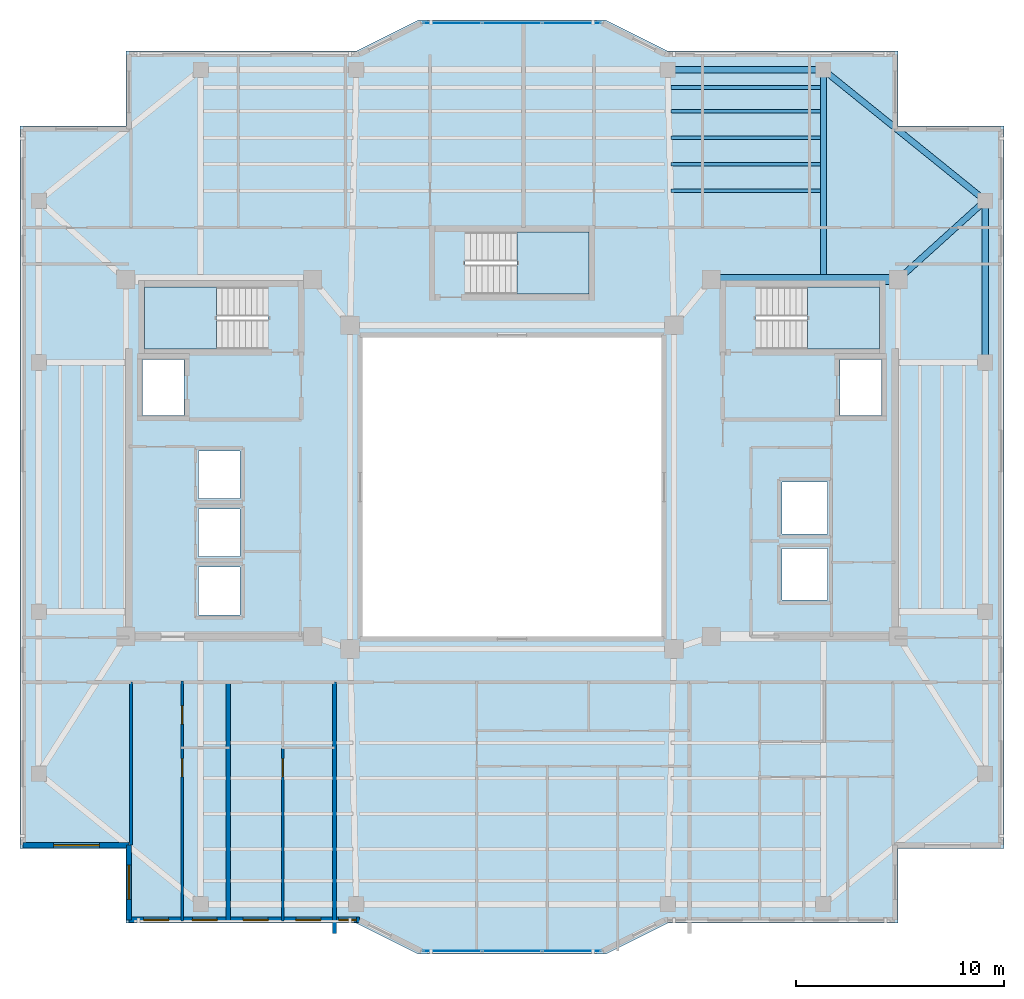
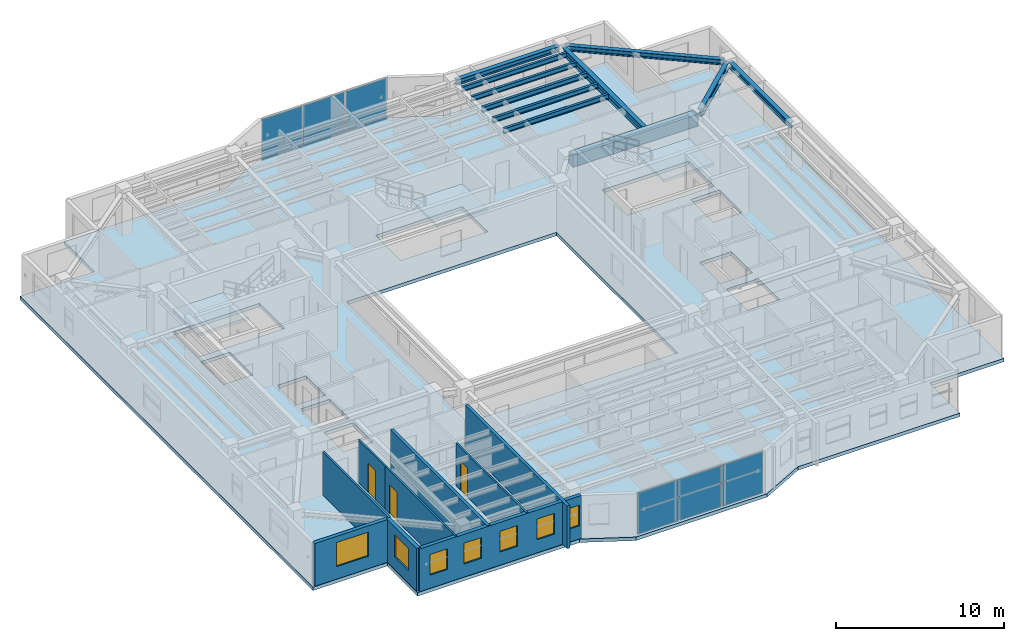
# One storey, part 5 of 14: 11 beams, 9 walls, 7 windows, 6 plates, 4 slabs, 3 doors, 10 openings, 5 elements without a shape of their own.
"""IFC4 building model written with IfcOpenShell, lengths in metres."""

from ifc_helpers import new_model, si_unit, direction, frame, frame_2d, origin, origin_2d, place, context, subcontext, project, spatial, polyline, rectangle, i_section, outline, extrude, material, layer, layer_set, material_profile, profile_set, type_object, element, fill, aggregate, save


model = new_model("IFC4")

# Units and contexts
model_context = context("Model", 3, precision=1e-05, world=origin(), true_north=direction((0.0, 1.0)))
body_context = subcontext(model_context, "Body", "Model", "MODEL_VIEW")
ifc_project = project(units=[si_unit("LENGTHUNIT", "METRE"), si_unit("AREAUNIT", "SQUARE_METRE"), si_unit("VOLUMEUNIT", "CUBIC_METRE"), si_unit("PLANEANGLEUNIT", "RADIAN"), si_unit("MASSUNIT", "GRAM", prefix="KILO")], contexts=[model_context])

# Site, building, storey
site_placement = place(None, origin())
site = spatial("IfcSite", under=ifc_project, at=site_placement, CompositionType="ELEMENT")
building_placement = place(site_placement, origin())
building = spatial("IfcBuilding", under=site, at=building_placement, Name="Tarnavaz Court Tower", CompositionType="ELEMENT")
storey_placement = place(building_placement, frame((0.0, 0.0, 190.25)))
storey = spatial("IfcBuildingStorey", under=building, at=storey_placement, Name="L51", CompositionType="ELEMENT", Elevation=190.25)

# Beams
ifc_material_1 = material(Name="Concrete C50/60", Category="concrete")
ifc_material_profile_1 = material_profile(ifc_material_1, rectangle(XDim=0.5, YDim=0.85009765625, at=origin_2d()), Name="RC 500X850")
ifc_profile_set_1 = profile_set([ifc_material_profile_1], Name="Concrete C50/60")
beam_type_1 = type_object("IfcBeamType", Name="BM-CB850", PredefinedType="LINTEL", material=ifc_profile_set_1)
beam_1_placement = place(storey_placement, frame((18.3798828125, 10.0, 2.675048828125), z_axis=(-1.0, 0.0, 0.0), x_axis=(0.0, -1.0, 0.0)))
element("IfcBeam", 1, at=beam_1_placement, inside=storey, type_object=beam_type_1, Name="L51 Beam IN-CE-NO-CE-NI", PredefinedType="LINTEL", context=body_context, shape_type="SweptSolid", body=[
    extrude(rectangle(XDim=0.5, YDim=0.85009765625, at=origin_2d()), origin(), (0.0, 0.0, 1.0), 8.559814453125),
])
ifc_material_2 = material(Name="Steel S355", Category="steel")
ifc_material_profile_2 = material_profile(ifc_material_2, i_section(OverallWidth=0.300048828125, OverallDepth=0.5, WebThickness=0.014404296875, FlangeThickness=0.028076171875, FilletRadius=0.027099609375, at=origin_2d()), Name="HEB 500")
ifc_profile_set_2 = profile_set([ifc_material_profile_2], Name="Steel S355")
beam_type_2 = type_object("IfcBeamType", Name="BM-G-HEB500", PredefinedType="USERDEFINED", material=ifc_profile_set_2)
beam_2_placement = place(storey_placement, frame((15.0, 10.0400390625, 2.85009765625), z_axis=(0.0, 1.0, 0.0), x_axis=(-1.0, 0.0, 0.0)))
element("IfcBeam", 2, at=beam_2_placement, inside=storey, type_object=beam_type_2, Name="L51 Beam RG-04", ObjectType="GIRDER", PredefinedType="USERDEFINED", context=body_context, shape_type="SweptSolid", body=[
    extrude(i_section(OverallWidth=0.300048828125, OverallDepth=0.5, WebThickness=0.014404296875, FlangeThickness=0.028076171875, FilletRadius=0.027099609375, at=origin_2d()), origin(), (0.0, 0.0, 1.0), 9.83984375),
])
beam_3_placement = place(storey_placement, frame((18.76318359375, 10.147705078125, 2.85009765625), z_axis=(0.741555708494, 0.670891296113, 0.0), x_axis=(-0.670891296113, 0.741555708494, 0.0)))
element("IfcBeam", 3, at=beam_3_placement, inside=storey, type_object=beam_type_2, Name="L51 Beam RG-12", ObjectType="GIRDER", PredefinedType="USERDEFINED", context=body_context, shape_type="SweptSolid", body=[
    extrude(i_section(OverallWidth=0.300048828125, OverallDepth=0.5, WebThickness=0.014404296875, FlangeThickness=0.028076171875, FilletRadius=0.027099609375, at=origin_2d()), origin(), (0.0, 0.0, 1.0), 5.223876953125),
])
ifc_material_profile_3 = material_profile(ifc_material_2, i_section(OverallWidth=0.169921875, OverallDepth=0.360107421875, WebThickness=0.008056640625, FlangeThickness=0.0126953125, FilletRadius=0.01806640625, at=origin_2d()), Name="IPE 360")
ifc_profile_set_3 = profile_set([ifc_material_profile_3], Name="Steel S355")
beam_type_3 = type_object("IfcBeamType", Name="BM-J-IPE360", PredefinedType="JOIST", material=ifc_profile_set_3)
for number, where, z_axis, x_axis, name in (
    (4, (7.64990234375, 14.278076171875, 2.919921875), (1.0, 0.0, 0.0), (0.0, 1.0, 0.0), "L51 Beam JN1-3"),
    (5, (7.64990234375, 15.555908203125, 2.919921875), (1.0, 0.0, 0.0), (0.0, 1.0, 0.0), "L51 Beam JN2-3"),
    (6, (7.64990234375, 16.833984375, 2.919921875), (1.0, 0.0, 0.0), (0.0, 1.0, 0.0), "L51 Beam JN3-3"),
    (7, (7.64990234375, 18.112060546875, 2.919921875), (1.0, 0.0, 0.0), (0.0, 1.0, 0.0), "L51 Beam JN4-3"),
    (8, (7.64990234375, 19.248046875, 2.919921875), (1.0, 0.0, 0.0), (0.0, 1.0, 0.0), "L51 Beam JN5-3"),
):
    element("IfcBeam", number, at=place(storey_placement, frame(where, z_axis=z_axis, x_axis=x_axis)), inside=storey, type_object=beam_type_3, Name=name, PredefinedType="JOIST", context=body_context, shape_type="SweptSolid", body=[
        extrude(i_section(OverallWidth=0.169921875, OverallDepth=0.360107421875, WebThickness=0.008056640625, FlangeThickness=0.0126953125, FilletRadius=0.01806640625, at=origin_2d()), origin(), (0.0, 0.0, 1.0), 7.2001953125),
    ])
ifc_material_profile_4 = material_profile(ifc_material_2, i_section(OverallWidth=0.300048828125, OverallDepth=0.389892578125, WebThickness=0.010986328125, FlangeThickness=0.01904296875, FilletRadius=0.027099609375, at=origin_2d()), Name="HEA 400")
ifc_profile_set_4 = profile_set([ifc_material_profile_4], Name="Steel S355")
beam_type_4 = type_object("IfcBeamType", Name="BM-SP-HEA400", PredefinedType="BEAM", material=ifc_profile_set_4)
beam_4_placement = place(storey_placement, frame((7.719970703125, 20.10009765625, 2.905029296875), z_axis=(1.0, 0.0, 0.0), x_axis=(0.0, 1.0, 0.0)))
element("IfcBeam", 9, at=beam_4_placement, inside=storey, type_object=beam_type_4, Name="L51 Beam PR-PN-3-PN-4", PredefinedType="BEAM", context=body_context, shape_type="SweptSolid", body=[
    extrude(i_section(OverallWidth=0.300048828125, OverallDepth=0.389892578125, WebThickness=0.010986328125, FlangeThickness=0.01904296875, FilletRadius=0.027099609375, at=origin_2d()), origin(), (0.0, 0.0, 1.0), 7.06005859375),
])
beam_5_placement = place(storey_placement, frame((22.800048828125, 6.219970703125, 2.905029296875), z_axis=(0.0, 1.0, 0.0), x_axis=(-1.0, 0.0, 0.0)))
element("IfcBeam", 10, at=beam_5_placement, inside=storey, type_object=beam_type_4, Name="L51 Beam PR-PE-3-PE-4", PredefinedType="BEAM", context=body_context, shape_type="SweptSolid", body=[
    extrude(i_section(OverallWidth=0.300048828125, OverallDepth=0.389892578125, WebThickness=0.010986328125, FlangeThickness=0.01904296875, FilletRadius=0.027099609375, at=origin_2d()), origin(), (0.0, 0.0, 1.0), 7.360107421875),
])
beam_6_placement = place(storey_placement, frame((15.171142578125, 19.9619140625, 2.905029296875), z_axis=(0.777935913531, -0.628343627674, 0.0), x_axis=(0.628343627674, 0.777935913531, 0.0)))
element("IfcBeam", 11, at=beam_6_placement, inside=storey, type_object=beam_type_4, Name="L51 Beam PR-PN-4-PE-4", PredefinedType="BEAM", context=body_context, shape_type="SweptSolid", body=[
    extrude(i_section(OverallWidth=0.300048828125, OverallDepth=0.389892578125, WebThickness=0.010986328125, FlangeThickness=0.01904296875, FilletRadius=0.027099609375, at=origin_2d()), origin(), (0.0, 0.0, 1.0), 9.586669921875),
])

# Curtain wall, plates
ifc_material_3 = material(Name="Anodised Aluminium 6063-T6 and Solar Low-E Glazing", Category="aluminium")
ifc_layer_1 = layer(ifc_material_3, 0.159912109375)
ifc_layer_set_1 = layer_set([ifc_layer_1], Name="Anodised Aluminium 6063-T6 and Solar Low-E Glazing")
curtain_wall_type = type_object("IfcCurtainWallType", Name="CW-SYS-03", PredefinedType="NOTDEFINED", material=ifc_layer_set_1)
curtain_wall_1_placement = place(storey_placement, origin())
curtain_wall_1 = element("IfcCurtainWall", 12, at=curtain_wall_1_placement, inside=storey, type_object=curtain_wall_type, Name="L51 Iwan Prow Curtain Wall 7", PredefinedType="NOTDEFINED")
ifc_material_4 = material(Name="Double-Glazed Solar Low-E Glass", Category="glass")
ifc_layer_2 = layer(ifc_material_4, 0.028076171875)
ifc_layer_set_2 = layer_set([ifc_layer_2], Name="Double-Glazed Solar Low-E Glass")
plate_type = type_object("IfcPlateType", Name="CW-PAN-GLZ28", PredefinedType="CURTAIN_PANEL", material=ifc_layer_set_2)
plate_1_placement = place(storey_placement, frame((-2.88134765625, 22.35009765625, 0.06494140625), z_axis=(0.0, 0.0, 1.0), x_axis=(1.0, 0.0, 0.0)))
plate_1 = element("IfcPlate", 13, at=plate_1_placement, type_object=plate_type, Name="CW panel 1.1", PredefinedType="CURTAIN_PANEL", context=body_context, shape_type="SweptSolid", body=[
    extrude(rectangle(XDim=2.78759765625, YDim=0.028076171875, at=origin_2d()), origin(), (0.0, 0.0, 1.0), 2.969970703125),
])
plate_2_placement = place(storey_placement, frame((0.0, 22.35009765625, 0.06494140625), z_axis=(0.0, 0.0, 1.0), x_axis=(1.0, 0.0, 0.0)))
plate_2 = element("IfcPlate", 14, at=plate_2_placement, type_object=plate_type, Name="CW panel 2.1", PredefinedType="CURTAIN_PANEL", context=body_context, shape_type="SweptSolid", body=[
    extrude(rectangle(XDim=2.824951171875, YDim=0.028076171875, at=origin_2d()), origin(), (0.0, 0.0, 1.0), 2.969970703125),
])
plate_3_placement = place(storey_placement, frame((2.88134765625, 22.35009765625, 0.06494140625), z_axis=(0.0, 0.0, 1.0), x_axis=(1.0, 0.0, 0.0)))
plate_3 = element("IfcPlate", 15, at=plate_3_placement, type_object=plate_type, Name="CW panel 3.1", PredefinedType="CURTAIN_PANEL", context=body_context, shape_type="SweptSolid", body=[
    extrude(rectangle(XDim=2.78759765625, YDim=0.028076171875, at=origin_2d()), origin(), (0.0, 0.0, 1.0), 2.969970703125),
])
aggregate(curtain_wall_1, [plate_1, plate_2, plate_3])

curtain_wall_2_placement = place(storey_placement, origin())
curtain_wall_2 = element("IfcCurtainWall", 16, at=curtain_wall_2_placement, inside=storey, type_object=curtain_wall_type, Name="L51 Iwan Prow Curtain Wall 17", PredefinedType="NOTDEFINED")
plate_4_placement = place(storey_placement, frame((2.88134765625, -22.35009765625, 0.06494140625), z_axis=(0.0, 0.0, 1.0), x_axis=(-1.0, 0.0, 0.0)))
plate_4 = element("IfcPlate", 17, at=plate_4_placement, type_object=plate_type, Name="CW panel 1.1", PredefinedType="CURTAIN_PANEL", context=body_context, shape_type="SweptSolid", body=[
    extrude(rectangle(XDim=2.78759765625, YDim=0.028076171875, at=origin_2d()), origin(), (0.0, 0.0, 1.0), 2.969970703125),
])
plate_5_placement = place(storey_placement, frame((0.0, -22.35009765625, 0.06494140625), z_axis=(0.0, 0.0, 1.0), x_axis=(-1.0, 0.0, 0.0)))
plate_5 = element("IfcPlate", 18, at=plate_5_placement, type_object=plate_type, Name="CW panel 2.1", PredefinedType="CURTAIN_PANEL", context=body_context, shape_type="SweptSolid", body=[
    extrude(rectangle(XDim=2.824951171875, YDim=0.028076171875, at=origin_2d()), origin(), (0.0, 0.0, 1.0), 2.969970703125),
])
plate_6_placement = place(storey_placement, frame((-2.88134765625, -22.35009765625, 0.06494140625), z_axis=(0.0, 0.0, 1.0), x_axis=(-1.0, 0.0, 0.0)))
plate_6 = element("IfcPlate", 19, at=plate_6_placement, type_object=plate_type, Name="CW panel 3.1", PredefinedType="CURTAIN_PANEL", context=body_context, shape_type="SweptSolid", body=[
    extrude(rectangle(XDim=2.78759765625, YDim=0.028076171875, at=origin_2d()), origin(), (0.0, 0.0, 1.0), 2.969970703125),
])
aggregate(curtain_wall_2, [plate_4, plate_5, plate_6])

# Stair, slab
ifc_material_5 = material(Name="Concrete C40/50", Category="concrete")
stair_type = type_object("IfcStairType", Name="ST-TWR-20R", PredefinedType="HALF_TURN_STAIR", material=ifc_material_5)
stair_1_placement = place(storey_placement, origin())
stair_1 = element("IfcStair", 20, at=stair_1_placement, inside=storey, type_object=stair_type, Name="L51 West Core Pressurized Exit Stair ST-W1", PredefinedType="HALF_TURN_STAIR")
ifc_layer_3 = layer(ifc_material_5, 0.199951171875)
ifc_layer_set_3 = layer_set([ifc_layer_3], Name="Concrete C40/50")
slab_type_1 = type_object("IfcSlabType", Name="SL-LAND-200", PredefinedType="LANDING", material=ifc_layer_set_3)
slab_1_placement = place(storey_placement, frame((0.0, 0.0, 1.47509765625)))
slab_1 = element("IfcSlab", 21, at=slab_1_placement, type_object=slab_type_1, Name="ST-W1 landing 1", PredefinedType="LANDING", context=body_context, shape_type="SweptSolid", body=[
    extrude(outline(polyline([(-14.239990234375, 9.639892578125), (-17.699951171875, 9.639892578125), (-17.699951171875, 6.64990234375), (-14.239990234375, 6.64990234375), (-14.239990234375, 9.639892578125)])), origin(), (0.0, 0.0, 1.0), 0.199951171875),
])
aggregate(stair_1, [slab_1])

stair_2_placement = place(storey_placement, origin())
stair_2 = element("IfcStair", 22, at=stair_2_placement, inside=storey, type_object=stair_type, Name="L51 East Core Pressurized Exit Stair ST-E1", PredefinedType="HALF_TURN_STAIR")
slab_2_placement = place(storey_placement, frame((0.0, 0.0, 1.47509765625)))
slab_2 = element("IfcSlab", 23, at=slab_2_placement, type_object=slab_type_1, Name="ST-E1 landing 1", PredefinedType="LANDING", context=body_context, shape_type="SweptSolid", body=[
    extrude(outline(polyline([(14.239990234375, 6.64990234375), (17.699951171875, 6.64990234375), (17.699951171875, 9.639892578125), (14.239990234375, 9.639892578125), (14.239990234375, 6.64990234375)])), origin(), (0.0, 0.0, 1.0), 0.199951171875),
])
aggregate(stair_2, [slab_2])

stair_3_placement = place(storey_placement, origin())
stair_3 = element("IfcStair", 24, at=stair_3_placement, inside=storey, type_object=stair_type, Name="L51 North Ring Pressurized Exit Stair ST-N1", PredefinedType="HALF_TURN_STAIR")
slab_3_placement = place(storey_placement, frame((0.0, 0.0, 1.47509765625)))
slab_3 = element("IfcSlab", 25, at=slab_3_placement, type_object=slab_type_1, Name="ST-N1 landing 1", PredefinedType="LANDING", context=body_context, shape_type="SweptSolid", body=[
    extrude(outline(polyline([(0.239990234375, 9.300048828125), (3.699951171875, 9.300048828125), (3.699951171875, 12.2900390625), (0.239990234375, 12.2900390625), (0.239990234375, 9.300048828125)])), origin(), (0.0, 0.0, 1.0), 0.199951171875),
])
aggregate(stair_3, [slab_3])

# Slab
ifc_layer_4 = layer(ifc_material_5, 0.25)
ifc_layer_set_4 = layer_set([ifc_layer_4], Name="Concrete C40/50")
slab_type_2 = type_object("IfcSlabType", Name="SL-RES-250", PredefinedType="FLOOR", material=ifc_layer_set_4)
slab_4_placement = place(storey_placement, frame((0.0, 0.0, -0.25)))
element("IfcSlab", 26, at=slab_4_placement, inside=storey, type_object=slab_type_2, Name="L51 Structural Floor Slab", PredefinedType="FLOOR", context=body_context, shape_type="SweptSolid", body=[
    extrude(outline(polyline([(-18.60009765625, -21.0), (-7.5, -21.0), (-4.5, -22.5), (4.5, -22.5), (7.5, -21.0), (18.60009765625, -21.0), (18.60009765625, -17.39990234375), (23.699951171875, -17.39990234375), (23.699951171875, 17.39990234375), (18.60009765625, 17.39990234375), (18.60009765625, 21.0), (7.5, 21.0), (4.5, 22.5), (-4.5, 22.5), (-7.5, 21.0), (-18.60009765625, 21.0), (-18.60009765625, 17.39990234375), (-23.699951171875, 17.39990234375), (-23.699951171875, -17.39990234375), (-18.60009765625, -17.39990234375), (-18.60009765625, -21.0)]), holes=[polyline([(-7.199951171875, -7.199951171875), (7.199951171875, -7.199951171875), (7.199951171875, 7.199951171875), (-7.199951171875, 7.199951171875), (-7.199951171875, -7.199951171875)]), polyline([(-11.7451171875, 9.639892578125), (-17.699951171875, 9.639892578125), (-17.699951171875, 6.64990234375), (-11.7451171875, 6.64990234375), (-11.7451171875, 9.639892578125)]), polyline([(11.7451171875, 6.64990234375), (17.699951171875, 6.64990234375), (17.699951171875, 9.639892578125), (11.7451171875, 9.639892578125), (11.7451171875, 6.64990234375)]), polyline([(-2.2548828125, 9.300048828125), (3.699951171875, 9.300048828125), (3.699951171875, 12.2900390625), (-2.2548828125, 12.2900390625), (-2.2548828125, 9.300048828125)]), polyline([(-17.800048828125, 3.449951171875), (-15.800048828125, 3.449951171875), (-15.800048828125, 6.14990234375), (-17.800048828125, 6.14990234375), (-17.800048828125, 3.449951171875)]), polyline([(-15.10009765625, -6.14990234375), (-13.10009765625, -6.14990234375), (-13.10009765625, -3.85009765625), (-15.10009765625, -3.85009765625), (-15.10009765625, -6.14990234375)]), polyline([(-15.10009765625, -3.35009765625), (-13.10009765625, -3.35009765625), (-13.10009765625, -1.050048828125), (-15.10009765625, -1.050048828125), (-15.10009765625, -3.35009765625)]), polyline([(-15.10009765625, -0.550048828125), (-13.10009765625, -0.550048828125), (-13.10009765625, 1.75), (-15.10009765625, 1.75), (-15.10009765625, -0.550048828125)]), polyline([(15.800048828125, 3.449951171875), (17.800048828125, 3.449951171875), (17.800048828125, 6.14990234375), (15.800048828125, 6.14990234375), (15.800048828125, 3.449951171875)]), polyline([(13.0, -5.449951171875), (15.199951171875, -5.449951171875), (15.199951171875, -2.949951171875), (13.0, -2.949951171875), (13.0, -5.449951171875)]), polyline([(13.0, -2.25), (15.199951171875, -2.25), (15.199951171875, 0.25), (13.0, 0.25), (13.0, -2.25)])]), origin(), (0.0, 0.0, 1.0), 0.25),
])

# Wall, opening, window
ifc_material_6 = material(Name="Precast Concrete C40/50", Category="concrete")
ifc_layer_5 = layer(ifc_material_6, 0.260009765625)
ifc_layer_set_5 = layer_set([ifc_layer_5], Name="Precast Concrete C40/50")
wall_type_1 = type_object("IfcWallType", Name="WL-EXT-260", PredefinedType="SOLIDWALL", material=ifc_layer_set_5)
wall_1_placement = place(storey_placement, frame((-18.449951171875, -17.25, 0.0), z_axis=(0.0, 0.0, 1.0), x_axis=(-1.0, 0.0, 0.0)))
wall_1 = element("IfcWall", 27, at=wall_1_placement, inside=storey, type_object=wall_type_1, Name="L51 Exterior Terracotta Facade Wall 01", PredefinedType="SOLIDWALL", context=body_context, shape_type="SweptSolid", body=[
    extrude(rectangle(XDim=5.10009765625, YDim=0.260009765625, at=frame_2d((2.550048828125, 0.0))), origin(), (0.0, 0.0, 1.0), 3.10009765625),
])
opening_1_placement = place(wall_1_placement, frame((1.425048828125, 0.0, 0.89990234375)))
opening_1 = element("IfcOpeningElement", 28, at=opening_1_placement, cuts=wall_1, Name="Opening W07", PredefinedType="OPENING", context=body_context, shape_type="SweptSolid", body=[
    extrude(rectangle(XDim=2.199951171875, YDim=1.75, at=frame_2d((1.10009765625, 0.875))), frame((0.0, 0.139892578125, 0.0), z_axis=(0.0, -1.0, 0.0), x_axis=(1.0, 0.0, 0.0)), (0.0, 0.0, 1.0), 0.280029296875),
])
window_type_1 = type_object("IfcWindowType", Name="WN-APT-2200", PartitioningType="TRIPLE_PANEL_VERTICAL", PredefinedType="WINDOW", material=ifc_material_4)
window_1_placement = place(opening_1_placement, origin())
window_1 = element("IfcWindow", 29, at=window_1_placement, inside=storey, type_object=window_type_1, Name="L51 South-West Corner Reading Room Window", OverallHeight=1.75, OverallWidth=2.199951171875, PartitioningType="SINGLE_PANEL", PredefinedType="WINDOW", context=body_context, shape_type="SweptSolid", body=[
    extrude(rectangle(XDim=2.199951171875, YDim=1.75, at=frame_2d((1.10009765625, 0.875))), frame((0.0, 0.030029296875, 0.0), z_axis=(0.0, -1.0, 0.0), x_axis=(1.0, 0.0, 0.0)), (0.0, 0.0, 1.0), 0.06005859375),
])
fill(opening_1, window_1)

# Wall, openings, windows
wall_2_placement = place(storey_placement, frame((-7.35009765625, -20.85009765625, 0.0), z_axis=(0.0, 0.0, 1.0), x_axis=(-1.0, 0.0, 0.0)))
wall_2 = element("IfcWall", 30, at=wall_2_placement, inside=storey, type_object=wall_type_1, Name="L51 Exterior Terracotta Facade Wall 19", PredefinedType="SOLIDWALL", context=body_context, shape_type="SweptSolid", body=[
    extrude(rectangle(XDim=11.099853515625, YDim=0.260009765625, at=frame_2d((5.5498046875, 0.0))), origin(), (0.0, 0.0, 1.0), 3.10009765625),
])
opening_2_placement = place(wall_2_placement, frame((0.1474609375, 0.0, 0.949951171875)))
opening_2 = element("IfcOpeningElement", 31, at=opening_2_placement, cuts=wall_2, Name="Opening W15", PredefinedType="OPENING", context=body_context, shape_type="SweptSolid", body=[
    extrude(rectangle(XDim=0.85009765625, YDim=1.5, at=frame_2d((0.425048828125, 0.75))), frame((0.0, 0.139892578125, 0.0), z_axis=(0.0, -1.0, 0.0), x_axis=(1.0, 0.0, 0.0)), (0.0, 0.0, 1.0), 0.280029296875),
])
opening_3_placement = place(wall_2_placement, frame((1.861083984375, 0.0, 0.949951171875)))
opening_3 = element("IfcOpeningElement", 32, at=opening_3_placement, cuts=wall_2, Name="Opening W05", PredefinedType="OPENING", context=body_context, shape_type="SweptSolid", body=[
    extrude(rectangle(XDim=1.199951171875, YDim=1.5, at=frame_2d((0.60009765625, 0.75))), frame((0.0, 0.139892578125, 0.0), z_axis=(0.0, -1.0, 0.0), x_axis=(1.0, 0.0, 0.0)), (0.0, 0.0, 1.0), 0.280029296875),
])
opening_4_placement = place(wall_2_placement, frame((4.3974609375, 0.0, 0.949951171875)))
opening_4 = element("IfcOpeningElement", 33, at=opening_4_placement, cuts=wall_2, Name="Opening W05", PredefinedType="OPENING", context=body_context, shape_type="SweptSolid", body=[
    extrude(rectangle(XDim=1.199951171875, YDim=1.5, at=frame_2d((0.60009765625, 0.75))), frame((0.0, 0.139892578125, 0.0), z_axis=(0.0, -1.0, 0.0), x_axis=(1.0, 0.0, 0.0)), (0.0, 0.0, 1.0), 0.280029296875),
])
opening_5_placement = place(wall_2_placement, frame((6.85009765625, 0.0, 0.949951171875)))
opening_5 = element("IfcOpeningElement", 34, at=opening_5_placement, cuts=wall_2, Name="Opening W05", PredefinedType="OPENING", context=body_context, shape_type="SweptSolid", body=[
    extrude(rectangle(XDim=1.199951171875, YDim=1.5, at=frame_2d((0.60009765625, 0.75))), frame((0.0, 0.139892578125, 0.0), z_axis=(0.0, -1.0, 0.0), x_axis=(1.0, 0.0, 0.0)), (0.0, 0.0, 1.0), 0.280029296875),
])
opening_6_placement = place(wall_2_placement, frame((9.194091796875, 0.0, 0.949951171875)))
opening_6 = element("IfcOpeningElement", 35, at=opening_6_placement, cuts=wall_2, Name="Opening W05", PredefinedType="OPENING", context=body_context, shape_type="SweptSolid", body=[
    extrude(rectangle(XDim=1.199951171875, YDim=1.5, at=frame_2d((0.60009765625, 0.75))), frame((0.0, 0.139892578125, 0.0), z_axis=(0.0, -1.0, 0.0), x_axis=(1.0, 0.0, 0.0)), (0.0, 0.0, 1.0), 0.280029296875),
])
window_type_2 = type_object("IfcWindowType", Name="WN-APT-1200", PartitioningType="SINGLE_PANEL", PredefinedType="WINDOW", material=ifc_material_4)
window_2_placement = place(opening_3_placement, origin())
window_2 = element("IfcWindow", 36, at=window_2_placement, inside=storey, type_object=window_type_2, Name="L51 Flat 02 Kitchen Window", OverallHeight=1.5, OverallWidth=1.199951171875, PartitioningType="SINGLE_PANEL", PredefinedType="WINDOW", context=body_context, shape_type="SweptSolid", body=[
    extrude(rectangle(XDim=1.199951171875, YDim=1.5, at=frame_2d((0.60009765625, 0.75))), frame((0.0, 0.030029296875, 0.0), z_axis=(0.0, -1.0, 0.0), x_axis=(1.0, 0.0, 0.0)), (0.0, 0.0, 1.0), 0.06005859375),
])
fill(opening_3, window_2)
window_3_placement = place(opening_4_placement, origin())
window_3 = element("IfcWindow", 37, at=window_3_placement, inside=storey, type_object=window_type_2, Name="L51 Flat 02 Studio Living and Sleeping Room Window", OverallHeight=1.5, OverallWidth=1.199951171875, PartitioningType="SINGLE_PANEL", PredefinedType="WINDOW", context=body_context, shape_type="SweptSolid", body=[
    extrude(rectangle(XDim=1.199951171875, YDim=1.5, at=frame_2d((0.60009765625, 0.75))), frame((0.0, 0.030029296875, 0.0), z_axis=(0.0, -1.0, 0.0), x_axis=(1.0, 0.0, 0.0)), (0.0, 0.0, 1.0), 0.06005859375),
])
fill(opening_4, window_3)
window_4_placement = place(opening_5_placement, origin())
window_4 = element("IfcWindow", 38, at=window_4_placement, inside=storey, type_object=window_type_2, Name="L51 Flat 01 Kitchen Window", OverallHeight=1.5, OverallWidth=1.199951171875, PartitioningType="SINGLE_PANEL", PredefinedType="WINDOW", context=body_context, shape_type="SweptSolid", body=[
    extrude(rectangle(XDim=1.199951171875, YDim=1.5, at=frame_2d((0.60009765625, 0.75))), frame((0.0, 0.030029296875, 0.0), z_axis=(0.0, -1.0, 0.0), x_axis=(1.0, 0.0, 0.0)), (0.0, 0.0, 1.0), 0.06005859375),
])
fill(opening_5, window_4)
window_5_placement = place(opening_6_placement, origin())
window_5 = element("IfcWindow", 39, at=window_5_placement, inside=storey, type_object=window_type_2, Name="L51 Flat 01 Studio Living and Sleeping Room Window", OverallHeight=1.5, OverallWidth=1.199951171875, PartitioningType="SINGLE_PANEL", PredefinedType="WINDOW", context=body_context, shape_type="SweptSolid", body=[
    extrude(rectangle(XDim=1.199951171875, YDim=1.5, at=frame_2d((0.60009765625, 0.75))), frame((0.0, 0.030029296875, 0.0), z_axis=(0.0, -1.0, 0.0), x_axis=(1.0, 0.0, 0.0)), (0.0, 0.0, 1.0), 0.06005859375),
])
fill(opening_6, window_5)
window_type_3 = type_object("IfcWindowType", Name="WN-APT-850", PartitioningType="SINGLE_PANEL", PredefinedType="WINDOW", material=ifc_material_4)
window_6_placement = place(opening_2_placement, origin())
window_6 = element("IfcWindow", 40, at=window_6_placement, inside=storey, type_object=window_type_3, Name="L51 Flat 04 Living and Dining Room Window", OverallHeight=1.5, OverallWidth=0.85009765625, PartitioningType="SINGLE_PANEL", PredefinedType="WINDOW", context=body_context, shape_type="SweptSolid", body=[
    extrude(rectangle(XDim=0.85009765625, YDim=1.5, at=frame_2d((0.425048828125, 0.75))), frame((0.0, 0.030029296875, 0.0), z_axis=(0.0, -1.0, 0.0), x_axis=(1.0, 0.0, 0.0)), (0.0, 0.0, 1.0), 0.06005859375),
])
fill(opening_2, window_6)

# Wall, opening, window
wall_3_placement = place(storey_placement, frame((-18.449951171875, -20.85009765625, 0.0), z_axis=(0.0, 0.0, 1.0), x_axis=(0.0, 1.0, 0.0)))
wall_3 = element("IfcWall", 41, at=wall_3_placement, inside=storey, type_object=wall_type_1, Name="L51 Exterior Terracotta Facade Wall 20", PredefinedType="SOLIDWALL", context=body_context, shape_type="SweptSolid", body=[
    extrude(rectangle(XDim=3.60009765625, YDim=0.260009765625, at=frame_2d((1.800048828125, 0.0))), origin(), (0.0, 0.0, 1.0), 3.10009765625),
])
opening_7_placement = place(wall_3_placement, frame((0.992431640625, 0.0, 0.89990234375)))
opening_7 = element("IfcOpeningElement", 42, at=opening_7_placement, cuts=wall_3, Name="Opening W02", PredefinedType="OPENING", context=body_context, shape_type="SweptSolid", body=[
    extrude(rectangle(XDim=1.64990234375, YDim=1.60009765625, at=frame_2d((0.824951171875, 0.800048828125))), frame((0.0, 0.139892578125, 0.0), z_axis=(0.0, -1.0, 0.0), x_axis=(1.0, 0.0, 0.0)), (0.0, 0.0, 1.0), 0.280029296875),
])
window_type_4 = type_object("IfcWindowType", Name="WN-APT-1650", PartitioningType="DOUBLE_PANEL_VERTICAL", PredefinedType="WINDOW", material=ifc_material_4)
window_7_placement = place(opening_7_placement, origin())
window_7 = element("IfcWindow", 43, at=window_7_placement, inside=storey, type_object=window_type_4, Name="L51 Flat 01 Studio Living and Sleeping Room Window", OverallHeight=1.60009765625, OverallWidth=1.64990234375, PartitioningType="SINGLE_PANEL", PredefinedType="WINDOW", context=body_context, shape_type="SweptSolid", body=[
    extrude(rectangle(XDim=1.64990234375, YDim=1.60009765625, at=frame_2d((0.824951171875, 0.800048828125))), frame((0.0, 0.030029296875, 0.0), z_axis=(0.0, -1.0, 0.0), x_axis=(1.0, 0.0, 0.0)), (0.0, 0.0, 1.0), 0.06005859375),
])
fill(opening_7, window_7)

# Walls
ifc_material_7 = material(Name="Autoclaved Aerated Concrete Blockwork", Category="masonry")
ifc_layer_6 = layer(ifc_material_7, 0.199951171875)
ifc_layer_set_6 = layer_set([ifc_layer_6], Name="Autoclaved Aerated Concrete Blockwork")
wall_type_2 = type_object("IfcWallType", Name="WL-FIRE-200", PredefinedType="SOLIDWALL", material=ifc_layer_set_6)
wall_4_placement = place(storey_placement, frame((-13.669921875, -20.89990234375, 0.0), z_axis=(0.0, 0.0, 1.0), x_axis=(0.0, 1.0, 0.0)))
element("IfcWall", 44, at=wall_4_placement, inside=storey, type_object=wall_type_2, Name="L51 Party Wall 071", PredefinedType="SOLIDWALL", context=body_context, shape_type="SweptSolid", body=[
    extrude(rectangle(XDim=11.5, YDim=0.199951171875, at=frame_2d((5.75, 0.0))), origin(), (0.0, 0.0, 1.0), 3.10009765625),
])
wall_5_placement = place(storey_placement, frame((-8.550048828125, -21.50390625, 0.0), z_axis=(0.0, 0.0, 1.0), x_axis=(0.0, 1.0, 0.0)))
element("IfcWall", 45, at=wall_5_placement, inside=storey, type_object=wall_type_2, Name="L51 Party Wall 085", PredefinedType="SOLIDWALL", context=body_context, shape_type="SweptSolid", body=[
    extrude(rectangle(XDim=12.10400390625, YDim=0.199951171875, at=frame_2d((6.052001953125, 0.0))), origin(), (0.0, 0.0, 1.0), 3.10009765625),
])

# Wall, opening, door
ifc_material_8 = material(Name="Moisture-Resistant Gypsum Board Partition", Category="masonry")
ifc_layer_7 = layer(ifc_material_8, 0.1201171875)
ifc_layer_set_7 = layer_set([ifc_layer_7], Name="Moisture-Resistant Gypsum Board Partition")
wall_type_3 = type_object("IfcWallType", Name="WL-PART-120", PredefinedType="PARTITIONING", material=ifc_layer_set_7)
wall_6_placement = place(storey_placement, frame((-15.889892578125, -20.89990234375, 0.0), z_axis=(0.0, 0.0, 1.0), x_axis=(0.0, 1.0, 0.0)))
wall_6 = element("IfcWall", 46, at=wall_6_placement, inside=storey, type_object=wall_type_3, Name="L51 Interior Partition 072", PredefinedType="PARTITIONING", context=body_context, shape_type="SweptSolid", body=[
    extrude(rectangle(XDim=8.33984375, YDim=0.1201171875, at=frame_2d((4.169921875, 0.0))), origin(), (0.0, 0.0, 1.0), 3.10009765625),
])
opening_8_placement = place(wall_6_placement, frame((6.93994140625, 0.0, 0.0)))
opening_8 = element("IfcOpeningElement", 47, at=opening_8_placement, cuts=wall_6, Name="Opening D14", PredefinedType="OPENING", context=body_context, shape_type="SweptSolid", body=[
    extrude(rectangle(XDim=0.8798828125, YDim=2.10009765625, at=frame_2d((0.43994140625, 1.050048828125))), frame((0.0, 0.070068359375, 0.0), z_axis=(0.0, -1.0, 0.0), x_axis=(1.0, 0.0, 0.0)), (0.0, 0.0, 1.0), 0.14013671875),
])
ifc_material_9 = material(Name="Engineered Oak Timber", Category="wood")
door_type = type_object("IfcDoorType", Name="DR-INT-900", OperationType="NOTDEFINED", PredefinedType="DOOR", material=ifc_material_9)
door_1_placement = place(opening_8_placement, origin())
door_1 = element("IfcDoor", 48, at=door_1_placement, inside=storey, type_object=door_type, Name="L51 Flat 01 Kitchen Door", OperationType="SINGLE_SWING_LEFT", OverallHeight=2.10009765625, OverallWidth=0.8798828125, PredefinedType="DOOR", context=body_context, shape_type="SweptSolid", body=[
    extrude(rectangle(XDim=0.8798828125, YDim=2.10009765625, at=frame_2d((0.43994140625, 1.050048828125))), frame((0.0, 0.02490234375, 0.0), z_axis=(0.0, -1.0, 0.0), x_axis=(1.0, 0.0, 0.0)), (0.0, 0.0, 1.0), 0.050048828125),
])
fill(opening_8, door_1)

wall_7_placement = place(storey_placement, frame((-15.889892578125, -12.56005859375, 0.0), z_axis=(0.0, 0.0, 1.0), x_axis=(0.0, 1.0, 0.0)))
wall_7 = element("IfcWall", 49, at=wall_7_placement, inside=storey, type_object=wall_type_3, Name="L51 Interior Partition 073", PredefinedType="PARTITIONING", context=body_context, shape_type="SweptSolid", body=[
    extrude(rectangle(XDim=3.219970703125, YDim=0.1201171875, at=frame_2d((1.60986328125, 0.0))), origin(), (0.0, 0.0, 1.0), 3.10009765625),
])
opening_9_placement = place(wall_7_placement, frame((1.139892578125, 0.0, 0.0)))
opening_9 = element("IfcOpeningElement", 50, at=opening_9_placement, cuts=wall_7, Name="Opening D14", PredefinedType="OPENING", context=body_context, shape_type="SweptSolid", body=[
    extrude(rectangle(XDim=0.8798828125, YDim=2.10009765625, at=frame_2d((0.43994140625, 1.050048828125))), frame((0.0, 0.070068359375, 0.0), z_axis=(0.0, -1.0, 0.0), x_axis=(1.0, 0.0, 0.0)), (0.0, 0.0, 1.0), 0.14013671875),
])
door_2_placement = place(opening_9_placement, origin())
door_2 = element("IfcDoor", 51, at=door_2_placement, inside=storey, type_object=door_type, Name="L51 Flat 01 Bathroom Door", OperationType="SINGLE_SWING_RIGHT", OverallHeight=2.10009765625, OverallWidth=0.8798828125, PredefinedType="DOOR", context=body_context, shape_type="SweptSolid", body=[
    extrude(rectangle(XDim=0.8798828125, YDim=2.10009765625, at=frame_2d((0.43994140625, 1.050048828125))), frame((0.0, 0.02490234375, 0.0), z_axis=(0.0, -1.0, 0.0), x_axis=(1.0, 0.0, 0.0)), (0.0, 0.0, 1.0), 0.050048828125),
])
fill(opening_9, door_2)

wall_8_placement = place(storey_placement, frame((-11.035888671875, -20.89990234375, 0.0), z_axis=(0.0, 0.0, 1.0), x_axis=(0.0, 1.0, 0.0)))
wall_8 = element("IfcWall", 52, at=wall_8_placement, inside=storey, type_object=wall_type_3, Name="L51 Interior Partition 075", PredefinedType="PARTITIONING", context=body_context, shape_type="SweptSolid", body=[
    extrude(rectangle(XDim=8.33984375, YDim=0.1201171875, at=frame_2d((4.169921875, 0.0))), origin(), (0.0, 0.0, 1.0), 3.10009765625),
])
opening_10_placement = place(wall_8_placement, frame((6.93994140625, 0.0, 0.0)))
opening_10 = element("IfcOpeningElement", 53, at=opening_10_placement, cuts=wall_8, Name="Opening D14", PredefinedType="OPENING", context=body_context, shape_type="SweptSolid", body=[
    extrude(rectangle(XDim=0.8798828125, YDim=2.10009765625, at=frame_2d((0.43994140625, 1.050048828125))), frame((0.0, 0.070068359375, 0.0), z_axis=(0.0, -1.0, 0.0), x_axis=(1.0, 0.0, 0.0)), (0.0, 0.0, 1.0), 0.14013671875),
])
door_3_placement = place(opening_10_placement, origin())
door_3 = element("IfcDoor", 54, at=door_3_placement, inside=storey, type_object=door_type, Name="L51 Flat 02 Kitchen Door", OperationType="SINGLE_SWING_RIGHT", OverallHeight=2.10009765625, OverallWidth=0.8798828125, PredefinedType="DOOR", context=body_context, shape_type="SweptSolid", body=[
    extrude(rectangle(XDim=0.8798828125, YDim=2.10009765625, at=frame_2d((0.43994140625, 1.050048828125))), frame((0.0, 0.02490234375, 0.0), z_axis=(0.0, -1.0, 0.0), x_axis=(1.0, 0.0, 0.0)), (0.0, 0.0, 1.0), 0.050048828125),
])
fill(opening_10, door_3)

# Wall
ifc_material_10 = material(Name="Gypsum Plasterboard Acoustic Partition", Category="masonry")
ifc_layer_8 = layer(ifc_material_10, 0.139892578125)
ifc_layer_set_8 = layer_set([ifc_layer_8], Name="Gypsum Plasterboard Acoustic Partition")
wall_type_4 = type_object("IfcWallType", Name="WL-PART-150", PredefinedType="PARTITIONING", material=ifc_layer_set_8)
wall_9_placement = place(storey_placement, frame((-18.35009765625, -17.25, 0.0), z_axis=(0.0, 0.0, 1.0), x_axis=(0.0, 1.0, 0.0)))
element("IfcWall", 55, at=wall_9_placement, inside=storey, type_object=wall_type_4, Name="L51 Interior Partition 099", PredefinedType="PARTITIONING", context=body_context, shape_type="SweptSolid", body=[
    extrude(rectangle(XDim=7.85009765625, YDim=0.139892578125, at=frame_2d((3.925048828125, 0.0))), origin(), (0.0, 0.0, 1.0), 3.10009765625),
])

save(model, "model.ifc")
